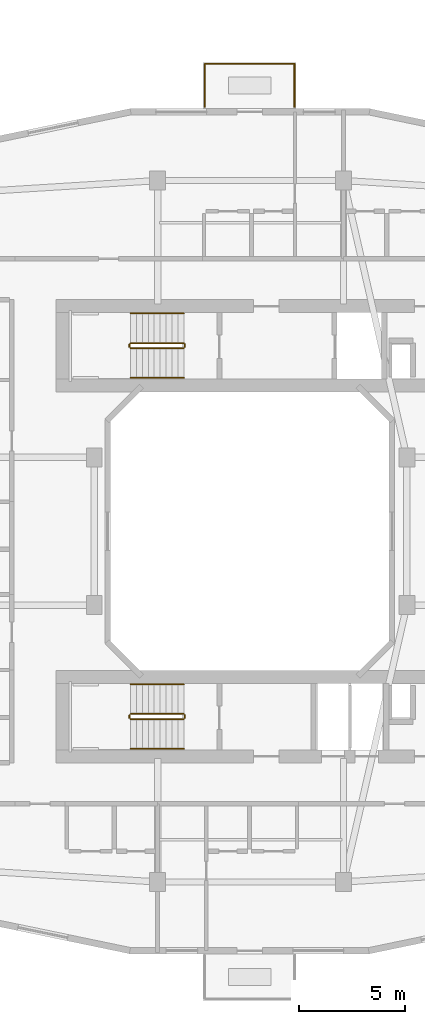
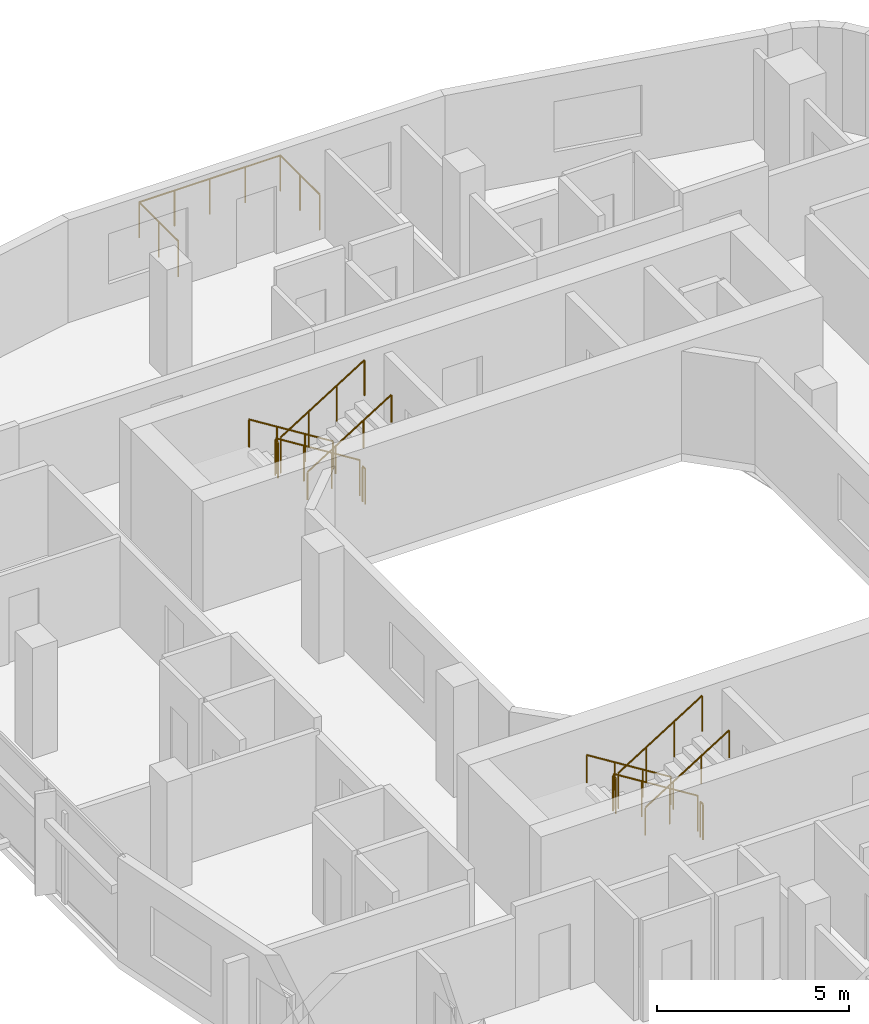
# One storey, part 22 of 22: 15 railings.
"""IFC4 building model written with IfcOpenShell, lengths in metres."""

from ifc_helpers import new_model, si_unit, derived_unit, direction, frame, origin, origin_2d, place, context, subcontext, project, spatial, circle, extrude, material, type_object, element, save


model = new_model("IFC4")

# Units and contexts
model_context = context("Model", 3, precision=1e-05, world=origin(), true_north=direction((0.0, 1.0)))
body_context = subcontext(model_context, "Body", "Model", "MODEL_VIEW")
ifc_project = project(units=[si_unit("LENGTHUNIT", "METRE"), si_unit("AREAUNIT", "SQUARE_METRE"), si_unit("VOLUMEUNIT", "CUBIC_METRE"), si_unit("PLANEANGLEUNIT", "RADIAN"), si_unit("MASSUNIT", "GRAM", prefix="KILO"), derived_unit("THERMALTRANSMITTANCEUNIT", [(si_unit("POWERUNIT", "WATT"), 1), (si_unit("LENGTHUNIT", "METRE"), -2), (si_unit("THERMODYNAMICTEMPERATUREUNIT", "KELVIN"), -1)])], contexts=[model_context])

# Site, building, storey
site_placement = place(None, origin())
site = spatial("IfcSite", under=ifc_project, at=site_placement, CompositionType="ELEMENT")
building_placement = place(site_placement, origin())
building = spatial("IfcBuilding", under=site, at=building_placement, Name="Kivonza Crest Hotel", CompositionType="ELEMENT")
storey_placement = place(building_placement, frame((0.0, 0.0, 27.5)))
storey = spatial("IfcBuildingStorey", under=building, at=storey_placement, Name="L06", CompositionType="ELEMENT", Elevation=27.5)

# Railings
ifc_material_1 = material(Name="Brushed stainless steel handrail", Category="steel")
railing_type_1 = type_object("IfcRailingType", Name="RL-HAND-900", PredefinedType="HANDRAIL", material=ifc_material_1)
railing_1_placement = place(storey_placement, frame((73.840087890625, 35.31005859375, 0.175048828125)))
element("IfcRailing", 1, at=railing_1_placement, inside=storey, type_object=railing_type_1, Name="L06 ST-T2-N stair handrail 1", PredefinedType="HANDRAIL", context=body_context, shape_type="SweptSolid", body=[
    extrude(circle(Radius=0.02392578125, at=origin_2d()), frame((0.0, 0.0, 0.8759765625), z_axis=(-0.848007534815, 0.0, 0.529984170421), x_axis=(0.0, -1.0, 0.0)), (0.0, 0.0, 1.0), 2.9716796875),
    extrude(circle(Radius=0.02099609375, at=origin_2d()), origin(), (0.0, 0.0, 1.0), 0.851806640625),
    extrude(circle(Radius=0.02099609375, at=origin_2d()), frame((-0.840087890625, 0.0, 0.52490234375)), (0.0, 0.0, 1.0), 0.851806640625),
    extrude(circle(Radius=0.02099609375, at=origin_2d()), frame((-1.679931640625, 0.0, 1.050048828125)), (0.0, 0.0, 1.0), 0.851806640625),
    extrude(circle(Radius=0.02099609375, at=origin_2d()), frame((-2.52001953125, 0.0, 1.574951171875)), (0.0, 0.0, 1.0), 0.851806640625),
])
railing_2_placement = place(storey_placement, frame((71.320068359375, 32.27001953125, 1.925048828125)))
element("IfcRailing", 2, at=railing_2_placement, inside=storey, type_object=railing_type_1, Name="L06 ST-T2-N stair handrail 2", PredefinedType="HANDRAIL", context=body_context, shape_type="SweptSolid", body=[
    extrude(circle(Radius=0.02392578125, at=origin_2d()), frame((0.0, 0.0, 0.8759765625), z_axis=(0.848007534815, 0.0, 0.529984170421), x_axis=(0.0, 1.0, 0.0)), (0.0, 0.0, 1.0), 2.9716796875),
    extrude(circle(Radius=0.02099609375, at=origin_2d()), origin(), (0.0, 0.0, 1.0), 0.851806640625),
    extrude(circle(Radius=0.02099609375, at=origin_2d()), frame((0.840087890625, 0.0, 0.52490234375)), (0.0, 0.0, 1.0), 0.851806640625),
    extrude(circle(Radius=0.02099609375, at=origin_2d()), frame((1.679931640625, 0.0, 1.050048828125)), (0.0, 0.0, 1.0), 0.851806640625),
    extrude(circle(Radius=0.02099609375, at=origin_2d()), frame((2.52001953125, 0.0, 1.574951171875)), (0.0, 0.0, 1.0), 0.851806640625),
])
railing_3_placement = place(storey_placement, frame((73.840087890625, 17.75, 0.175048828125)))
element("IfcRailing", 3, at=railing_3_placement, inside=storey, type_object=railing_type_1, Name="L06 ST-T2-S stair handrail 1", PredefinedType="HANDRAIL", context=body_context, shape_type="SweptSolid", body=[
    extrude(circle(Radius=0.02392578125, at=origin_2d()), frame((0.0, 0.0, 0.8759765625), z_axis=(-0.848007534815, 0.0, 0.529984170421), x_axis=(0.0, -1.0, 0.0)), (0.0, 0.0, 1.0), 2.9716796875),
    extrude(circle(Radius=0.02099609375, at=origin_2d()), origin(), (0.0, 0.0, 1.0), 0.851806640625),
    extrude(circle(Radius=0.02099609375, at=origin_2d()), frame((-0.840087890625, 0.0, 0.52490234375)), (0.0, 0.0, 1.0), 0.851806640625),
    extrude(circle(Radius=0.02099609375, at=origin_2d()), frame((-1.679931640625, 0.0, 1.050048828125)), (0.0, 0.0, 1.0), 0.851806640625),
    extrude(circle(Radius=0.02099609375, at=origin_2d()), frame((-2.52001953125, 0.0, 1.574951171875)), (0.0, 0.0, 1.0), 0.851806640625),
])
railing_4_placement = place(storey_placement, frame((71.320068359375, 14.7099609375, 1.925048828125)))
element("IfcRailing", 4, at=railing_4_placement, inside=storey, type_object=railing_type_1, Name="L06 ST-T2-S stair handrail 2", PredefinedType="HANDRAIL", context=body_context, shape_type="SweptSolid", body=[
    extrude(circle(Radius=0.02392578125, at=origin_2d()), frame((0.0, 0.0, 0.8759765625), z_axis=(0.848007534815, 0.0, 0.529984170421), x_axis=(0.0, 1.0, 0.0)), (0.0, 0.0, 1.0), 2.9716796875),
    extrude(circle(Radius=0.02099609375, at=origin_2d()), origin(), (0.0, 0.0, 1.0), 0.851806640625),
    extrude(circle(Radius=0.02099609375, at=origin_2d()), frame((0.840087890625, 0.0, 0.52490234375)), (0.0, 0.0, 1.0), 0.851806640625),
    extrude(circle(Radius=0.02099609375, at=origin_2d()), frame((1.679931640625, 0.0, 1.050048828125)), (0.0, 0.0, 1.0), 0.851806640625),
    extrude(circle(Radius=0.02099609375, at=origin_2d()), frame((2.52001953125, 0.0, 1.574951171875)), (0.0, 0.0, 1.0), 0.851806640625),
])
ifc_material_2 = material(Name="Painted steel balustrade", Category="steel")
railing_type_2 = type_object("IfcRailingType", Name="RL-STAIR-1150", PredefinedType="BALUSTRADE", material=ifc_material_2)
railing_5_placement = place(storey_placement, frame((73.840087890625, 33.909912109375, 0.175048828125)))
element("IfcRailing", 5, at=railing_5_placement, inside=storey, type_object=railing_type_2, Name="L06 ST-T2-N stair guard 1", PredefinedType="BALUSTRADE", context=body_context, shape_type="SweptSolid", body=[
    extrude(circle(Radius=0.02392578125, at=origin_2d()), frame((0.0, 0.0, 1.1259765625), z_axis=(-0.848007534815, 0.0, 0.529984170421), x_axis=(0.0, -1.0, 0.0)), (0.0, 0.0, 1.0), 2.9716796875),
    extrude(circle(Radius=0.02099609375, at=origin_2d()), origin(), (0.0, 0.0, 1.0), 1.101806640625),
    extrude(circle(Radius=0.02099609375, at=origin_2d()), frame((-0.840087890625, 0.0, 0.52490234375)), (0.0, 0.0, 1.0), 1.101806640625),
    extrude(circle(Radius=0.02099609375, at=origin_2d()), frame((-1.679931640625, 0.0, 1.050048828125)), (0.0, 0.0, 1.0), 1.101806640625),
    extrude(circle(Radius=0.02099609375, at=origin_2d()), frame((-2.52001953125, 0.0, 1.574951171875)), (0.0, 0.0, 1.0), 1.101806640625),
])
railing_6_placement = place(storey_placement, frame((71.27001953125, 33.860107421875, 1.75)))
element("IfcRailing", 6, at=railing_6_placement, inside=storey, type_object=railing_type_2, Name="L06 ST-T2-N stair guard 2", PredefinedType="BALUSTRADE", context=body_context, shape_type="SweptSolid", body=[
    extrude(circle(Radius=0.02392578125, at=origin_2d()), frame((0.0, 0.0, 1.1259765625), z_axis=(0.0, -1.0, 0.0), x_axis=(1.0, 0.0, 0.0)), (0.0, 0.0, 1.0), 0.14013671875),
    extrude(circle(Radius=0.02099609375, at=origin_2d()), origin(), (0.0, 0.0, 1.0), 1.101806640625),
    extrude(circle(Radius=0.02099609375, at=origin_2d()), frame((0.0, -0.14013671875, 0.0)), (0.0, 0.0, 1.0), 1.101806640625),
])
railing_7_placement = place(storey_placement, frame((71.320068359375, 33.669921875, 1.925048828125)))
element("IfcRailing", 7, at=railing_7_placement, inside=storey, type_object=railing_type_2, Name="L06 ST-T2-N stair guard 3", PredefinedType="BALUSTRADE", context=body_context, shape_type="SweptSolid", body=[
    extrude(circle(Radius=0.02392578125, at=origin_2d()), frame((0.0, 0.0, 1.1259765625), z_axis=(0.848007534815, 0.0, 0.529984170421), x_axis=(0.0, 1.0, 0.0)), (0.0, 0.0, 1.0), 2.9716796875),
    extrude(circle(Radius=0.02099609375, at=origin_2d()), origin(), (0.0, 0.0, 1.0), 1.101806640625),
    extrude(circle(Radius=0.02099609375, at=origin_2d()), frame((0.840087890625, 0.0, 0.52490234375)), (0.0, 0.0, 1.0), 1.101806640625),
    extrude(circle(Radius=0.02099609375, at=origin_2d()), frame((1.679931640625, 0.0, 1.050048828125)), (0.0, 0.0, 1.0), 1.101806640625),
    extrude(circle(Radius=0.02099609375, at=origin_2d()), frame((2.52001953125, 0.0, 1.574951171875)), (0.0, 0.0, 1.0), 1.101806640625),
])
railing_8_placement = place(storey_placement, frame((73.889892578125, 33.860107421875, 0.0)))
element("IfcRailing", 8, at=railing_8_placement, inside=storey, type_object=railing_type_2, Name="L06 ST-T2-N stair guard 4", PredefinedType="BALUSTRADE", context=body_context, shape_type="SweptSolid", body=[
    extrude(circle(Radius=0.02392578125, at=origin_2d()), frame((0.0, 0.0, 1.1259765625), z_axis=(0.0, -1.0, 0.0), x_axis=(1.0, 0.0, 0.0)), (0.0, 0.0, 1.0), 0.14013671875),
    extrude(circle(Radius=0.02099609375, at=origin_2d()), origin(), (0.0, 0.0, 1.0), 1.101806640625),
    extrude(circle(Radius=0.02099609375, at=origin_2d()), frame((0.0, -0.14013671875, 0.0)), (0.0, 0.0, 1.0), 1.101806640625),
])
railing_9_placement = place(storey_placement, frame((73.840087890625, 16.35009765625, 0.175048828125)))
element("IfcRailing", 9, at=railing_9_placement, inside=storey, type_object=railing_type_2, Name="L06 ST-T2-S stair guard 1", PredefinedType="BALUSTRADE", context=body_context, shape_type="SweptSolid", body=[
    extrude(circle(Radius=0.02392578125, at=origin_2d()), frame((0.0, 0.0, 1.1259765625), z_axis=(-0.848007534815, 0.0, 0.529984170421), x_axis=(0.0, -1.0, 0.0)), (0.0, 0.0, 1.0), 2.9716796875),
    extrude(circle(Radius=0.02099609375, at=origin_2d()), origin(), (0.0, 0.0, 1.0), 1.101806640625),
    extrude(circle(Radius=0.02099609375, at=origin_2d()), frame((-0.840087890625, 0.0, 0.52490234375)), (0.0, 0.0, 1.0), 1.101806640625),
    extrude(circle(Radius=0.02099609375, at=origin_2d()), frame((-1.679931640625, 0.0, 1.050048828125)), (0.0, 0.0, 1.0), 1.101806640625),
    extrude(circle(Radius=0.02099609375, at=origin_2d()), frame((-2.52001953125, 0.0, 1.574951171875)), (0.0, 0.0, 1.0), 1.101806640625),
])
railing_10_placement = place(storey_placement, frame((71.27001953125, 16.300048828125, 1.75)))
element("IfcRailing", 10, at=railing_10_placement, inside=storey, type_object=railing_type_2, Name="L06 ST-T2-S stair guard 2", PredefinedType="BALUSTRADE", context=body_context, shape_type="SweptSolid", body=[
    extrude(circle(Radius=0.02392578125, at=origin_2d()), frame((0.0, 0.0, 1.1259765625), z_axis=(0.0, -1.0, 0.0), x_axis=(1.0, 0.0, 0.0)), (0.0, 0.0, 1.0), 0.14013671875),
    extrude(circle(Radius=0.02099609375, at=origin_2d()), origin(), (0.0, 0.0, 1.0), 1.101806640625),
    extrude(circle(Radius=0.02099609375, at=origin_2d()), frame((0.0, -0.14013671875, 0.0)), (0.0, 0.0, 1.0), 1.101806640625),
])
railing_11_placement = place(storey_placement, frame((71.320068359375, 16.110107421875, 1.925048828125)))
element("IfcRailing", 11, at=railing_11_placement, inside=storey, type_object=railing_type_2, Name="L06 ST-T2-S stair guard 3", PredefinedType="BALUSTRADE", context=body_context, shape_type="SweptSolid", body=[
    extrude(circle(Radius=0.02392578125, at=origin_2d()), frame((0.0, 0.0, 1.1259765625), z_axis=(0.848007534815, 0.0, 0.529984170421), x_axis=(0.0, 1.0, 0.0)), (0.0, 0.0, 1.0), 2.9716796875),
    extrude(circle(Radius=0.02099609375, at=origin_2d()), origin(), (0.0, 0.0, 1.0), 1.101806640625),
    extrude(circle(Radius=0.02099609375, at=origin_2d()), frame((0.840087890625, 0.0, 0.52490234375)), (0.0, 0.0, 1.0), 1.101806640625),
    extrude(circle(Radius=0.02099609375, at=origin_2d()), frame((1.679931640625, 0.0, 1.050048828125)), (0.0, 0.0, 1.0), 1.101806640625),
    extrude(circle(Radius=0.02099609375, at=origin_2d()), frame((2.52001953125, 0.0, 1.574951171875)), (0.0, 0.0, 1.0), 1.101806640625),
])
railing_12_placement = place(storey_placement, frame((73.889892578125, 16.300048828125, 0.0)))
element("IfcRailing", 12, at=railing_12_placement, inside=storey, type_object=railing_type_2, Name="L06 ST-T2-S stair guard 4", PredefinedType="BALUSTRADE", context=body_context, shape_type="SweptSolid", body=[
    extrude(circle(Radius=0.02392578125, at=origin_2d()), frame((0.0, 0.0, 1.1259765625), z_axis=(0.0, -1.0, 0.0), x_axis=(1.0, 0.0, 0.0)), (0.0, 0.0, 1.0), 0.14013671875),
    extrude(circle(Radius=0.02099609375, at=origin_2d()), origin(), (0.0, 0.0, 1.0), 1.101806640625),
    extrude(circle(Radius=0.02099609375, at=origin_2d()), frame((0.0, -0.14013671875, 0.0)), (0.0, 0.0, 1.0), 1.101806640625),
])
ifc_material_3 = material(Name="Laminated glass and stainless steel balustrade", Category="steel")
railing_type_3 = type_object("IfcRailingType", Name="RL-TERR-1150", PredefinedType="BALUSTRADE", material=ifc_material_3)
railing_13_placement = place(storey_placement, frame((74.840087890625, 45.080078125, 0.0)))
element("IfcRailing", 13, at=railing_13_placement, inside=storey, type_object=railing_type_3, Name="L06 T2-L06-SG-NE perimeter safety balustrade 1", PredefinedType="BALUSTRADE", context=body_context, shape_type="SweptSolid", body=[
    extrude(circle(Radius=0.02392578125, at=origin_2d()), frame((0.0, 0.0, 1.1259765625), z_axis=(0.0, 1.0, 0.0), x_axis=(-1.0, 0.0, 0.0)), (0.0, 0.0, 1.0), 2.0400390625),
    extrude(circle(Radius=0.02099609375, at=origin_2d()), origin(), (0.0, 0.0, 1.0), 1.101806640625),
    extrude(circle(Radius=0.02099609375, at=origin_2d()), frame((0.0, 1.02001953125, 0.0)), (0.0, 0.0, 1.0), 1.101806640625),
    extrude(circle(Radius=0.02099609375, at=origin_2d()), frame((0.0, 2.0400390625, 0.0)), (0.0, 0.0, 1.0), 1.101806640625),
])
railing_14_placement = place(storey_placement, frame((74.840087890625, 47.1201171875, 0.0)))
element("IfcRailing", 14, at=railing_14_placement, inside=storey, type_object=railing_type_3, Name="L06 T2-L06-SG-NE perimeter safety balustrade 2", PredefinedType="BALUSTRADE", context=body_context, shape_type="SweptSolid", body=[
    extrude(circle(Radius=0.02392578125, at=origin_2d()), frame((0.0, 0.0, 1.1259765625), z_axis=(1.0, 0.0, 0.0), x_axis=(0.0, 1.0, 0.0)), (0.0, 0.0, 1.0), 4.239990234375),
    extrude(circle(Radius=0.02099609375, at=origin_2d()), origin(), (0.0, 0.0, 1.0), 1.101806640625),
    extrude(circle(Radius=0.02099609375, at=origin_2d()), frame((1.06005859375, 0.0, 0.0)), (0.0, 0.0, 1.0), 1.101806640625),
    extrude(circle(Radius=0.02099609375, at=origin_2d()), frame((2.1201171875, 0.0, 0.0)), (0.0, 0.0, 1.0), 1.101806640625),
    extrude(circle(Radius=0.02099609375, at=origin_2d()), frame((3.179931640625, 0.0, 0.0)), (0.0, 0.0, 1.0), 1.101806640625),
    extrude(circle(Radius=0.02099609375, at=origin_2d()), frame((4.239990234375, 0.0, 0.0)), (0.0, 0.0, 1.0), 1.101806640625),
])
railing_15_placement = place(storey_placement, frame((79.080078125, 47.1201171875, 0.0)))
element("IfcRailing", 15, at=railing_15_placement, inside=storey, type_object=railing_type_3, Name="L06 T2-L06-SG-NE perimeter safety balustrade 3", PredefinedType="BALUSTRADE", context=body_context, shape_type="SweptSolid", body=[
    extrude(circle(Radius=0.02392578125, at=origin_2d()), frame((0.0, 0.0, 1.1259765625), z_axis=(0.0, -1.0, 0.0), x_axis=(1.0, 0.0, 0.0)), (0.0, 0.0, 1.0), 2.0400390625),
    extrude(circle(Radius=0.02099609375, at=origin_2d()), origin(), (0.0, 0.0, 1.0), 1.101806640625),
    extrude(circle(Radius=0.02099609375, at=origin_2d()), frame((0.0, -1.02001953125, 0.0)), (0.0, 0.0, 1.0), 1.101806640625),
    extrude(circle(Radius=0.02099609375, at=origin_2d()), frame((0.0, -2.0400390625, 0.0)), (0.0, 0.0, 1.0), 1.101806640625),
])

save(model, "model.ifc")
